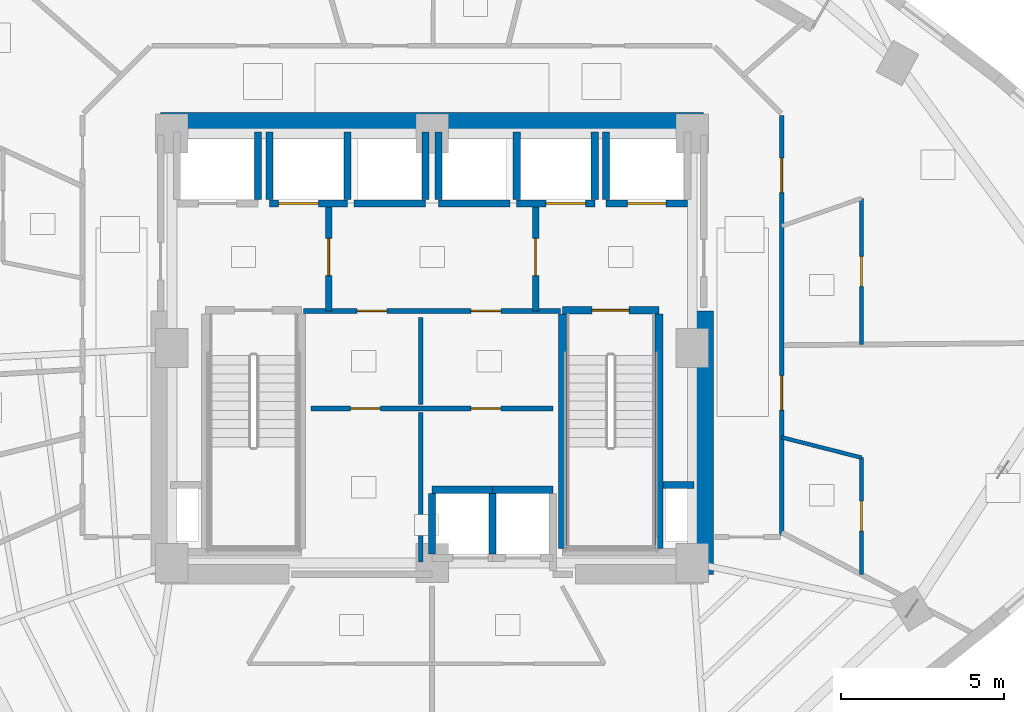
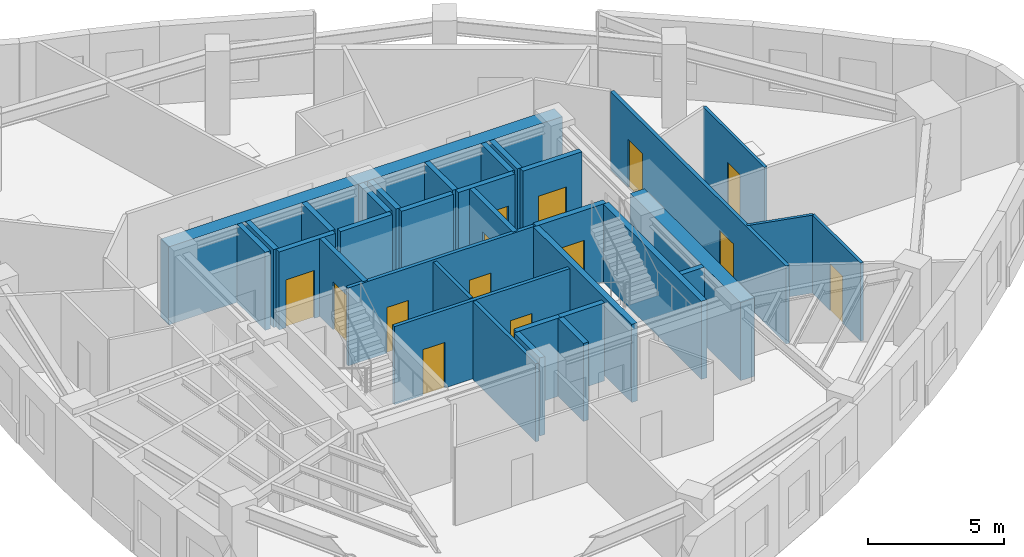
# One storey, part 9 of 14: 33 walls, 14 doors, 14 openings.
"""IFC4 building model written with IfcOpenShell, lengths in metres."""

from ifc_helpers import new_model, si_unit, direction, frame, frame_2d, origin, place, context, subcontext, project, spatial, rectangle, extrude, material, layer, layer_set, type_object, element, fill, save


model = new_model("IFC4")

# Units and contexts
model_context = context("Model", 3, precision=1e-05, world=origin(), true_north=direction((0.0, 1.0)))
body_context = subcontext(model_context, "Body", "Model", "MODEL_VIEW")
ifc_project = project(units=[si_unit("LENGTHUNIT", "METRE"), si_unit("AREAUNIT", "SQUARE_METRE"), si_unit("VOLUMEUNIT", "CUBIC_METRE"), si_unit("PLANEANGLEUNIT", "RADIAN"), si_unit("MASSUNIT", "GRAM", prefix="KILO")], contexts=[model_context])

# Site, building, storey
site_placement = place(None, origin())
site = spatial("IfcSite", under=ifc_project, at=site_placement, CompositionType="ELEMENT")
building_placement = place(site_placement, origin())
building = spatial("IfcBuilding", under=site, at=building_placement, Name="Ndelora Gate Hotel", CompositionType="ELEMENT")
storey_placement = place(building_placement, frame((0.0, 0.0, 119.75)))
storey = spatial("IfcBuildingStorey", under=building, at=storey_placement, Name="L29", CompositionType="ELEMENT", Elevation=119.75)

# Walls
ifc_material_1 = material(Name="Concrete C60/75", Category="concrete")
ifc_layer_1 = layer(ifc_material_1, 0.60009765625)
ifc_layer_set_1 = layer_set([ifc_layer_1], Name="Concrete C60/75")
wall_type_1 = type_object("IfcWallType", Name="WL-CORE-600", PredefinedType="SHEAR", material=ifc_layer_set_1)
wall_1_placement = place(storey_placement, frame((-8.35009765625, 6.949951171875, 0.0), z_axis=(0.0, 0.0, 1.0), x_axis=(1.0, 0.0, 0.0)))
element("IfcWall", 1, at=wall_1_placement, inside=storey, type_object=wall_type_1, Name="L29 Core Shear Wall N", PredefinedType="SHEAR", context=body_context, shape_type="SweptSolid", body=[
    extrude(rectangle(XDim=16.7001953125, YDim=0.60009765625, at=frame_2d((8.35009765625, 0.0))), origin(), (0.0, 0.0, 1.0), 3.5),
])
wall_2_placement = place(storey_placement, frame((8.35009765625, -6.949951171875, 0.0), z_axis=(0.0, 0.0, 1.0), x_axis=(0.0, 1.0, 0.0)))
element("IfcWall", 2, at=wall_2_placement, inside=storey, type_object=wall_type_1, Name="L29 Core Shear Wall E", PredefinedType="SHEAR", context=body_context, shape_type="SweptSolid", body=[
    extrude(rectangle(XDim=8.099853515625, YDim=0.60009765625, at=frame_2d((4.0498046875, 0.0))), origin(), (0.0, 0.0, 1.0), 3.5),
])

# Wall, opening, door
ifc_material_2 = material(Name="Concrete C40/50", Category="concrete")
ifc_layer_2 = layer(ifc_material_2, 0.199951171875)
ifc_layer_set_2 = layer_set([ifc_layer_2], Name="Concrete C40/50")
wall_type_2 = type_object("IfcWallType", Name="WL-FIRE-200", PredefinedType="PARTITIONING", material=ifc_layer_set_2)
wall_3_placement = place(storey_placement, frame((-3.179931640625, 1.14990234375, 0.0), z_axis=(0.0, 0.0, 1.0), x_axis=(0.0, 1.0, 0.0)))
wall_3 = element("IfcWall", 3, at=wall_3_placement, inside=storey, type_object=wall_type_2, Name="L29 Interior Wall IW-2", PredefinedType="PARTITIONING", context=body_context, shape_type="SweptSolid", body=[
    extrude(rectangle(XDim=3.300048828125, YDim=0.199951171875, at=frame_2d((1.64990234375, 0.0))), origin(), (0.0, 0.0, 1.0), 3.5),
])
opening_1_placement = place(wall_3_placement, frame((1.080078125, 0.0, 0.0)))
opening_1 = element("IfcOpeningElement", 4, at=opening_1_placement, cuts=wall_3, Name="Opening FD1", PredefinedType="OPENING", context=body_context, shape_type="SweptSolid", body=[
    extrude(rectangle(XDim=1.14990234375, YDim=2.14990234375, at=frame_2d((0.574951171875, 1.074951171875))), frame((0.0, 0.10986328125, 0.0), z_axis=(0.0, -1.0, 0.0), x_axis=(1.0, 0.0, 0.0)), (0.0, 0.0, 1.0), 0.219970703125),
])
ifc_material_3 = material(Name="Fire-Rated Timber-Veneer Steel Core", Category="steel")
door_type_1 = type_object("IfcDoorType", Name="DR-FD60", OperationType="SINGLE_SWING_LEFT", PredefinedType="DOOR", material=ifc_material_3)
door_1_placement = place(opening_1_placement, origin())
door_1 = element("IfcDoor", 5, at=door_1_placement, inside=storey, type_object=door_type_1, Name="L29 Firefighting Lobby West Door", OperationType="SINGLE_SWING_RIGHT", OverallHeight=2.14990234375, OverallWidth=1.14990234375, PredefinedType="DOOR", context=body_context, shape_type="SweptSolid", body=[
    extrude(rectangle(XDim=1.14990234375, YDim=2.14990234375, at=frame_2d((0.574951171875, 1.074951171875))), frame((0.0, 0.02490234375, 0.0), z_axis=(0.0, -1.0, 0.0), x_axis=(1.0, 0.0, 0.0)), (0.0, 0.0, 1.0), 0.050048828125),
])
fill(opening_1, door_1)

wall_4_placement = place(storey_placement, frame((3.179931640625, 1.14990234375, 0.0), z_axis=(0.0, 0.0, 1.0), x_axis=(0.0, 1.0, 0.0)))
wall_4 = element("IfcWall", 6, at=wall_4_placement, inside=storey, type_object=wall_type_2, Name="L29 Interior Wall IW-2", PredefinedType="PARTITIONING", context=body_context, shape_type="SweptSolid", body=[
    extrude(rectangle(XDim=3.300048828125, YDim=0.199951171875, at=frame_2d((1.64990234375, 0.0))), origin(), (0.0, 0.0, 1.0), 3.5),
])
opening_2_placement = place(wall_4_placement, frame((1.080078125, 0.0, 0.0)))
opening_2 = element("IfcOpeningElement", 7, at=opening_2_placement, cuts=wall_4, Name="Opening FD1", PredefinedType="OPENING", context=body_context, shape_type="SweptSolid", body=[
    extrude(rectangle(XDim=1.14990234375, YDim=2.14990234375, at=frame_2d((0.574951171875, 1.074951171875))), frame((0.0, 0.10986328125, 0.0), z_axis=(0.0, -1.0, 0.0), x_axis=(1.0, 0.0, 0.0)), (0.0, 0.0, 1.0), 0.219970703125),
])
door_2_placement = place(opening_2_placement, origin())
door_2 = element("IfcDoor", 8, at=door_2_placement, inside=storey, type_object=door_type_1, Name="L29 Firefighting Lobby East Door", OperationType="SINGLE_SWING_LEFT", OverallHeight=2.14990234375, OverallWidth=1.14990234375, PredefinedType="DOOR", context=body_context, shape_type="SweptSolid", body=[
    extrude(rectangle(XDim=1.14990234375, YDim=2.14990234375, at=frame_2d((0.574951171875, 1.074951171875))), frame((0.0, 0.02490234375, 0.0), z_axis=(0.0, -1.0, 0.0), x_axis=(1.0, 0.0, 0.0)), (0.0, 0.0, 1.0), 0.050048828125),
])
fill(opening_2, door_2)

# Wall, openings, doors
ifc_material_4 = material(Name="Fire-Rated Gypsum Stud Partition", Category="gypsum")
ifc_layer_3 = layer(ifc_material_4, 0.14990234375)
ifc_layer_set_3 = layer_set([ifc_layer_3], Name="Fire-Rated Gypsum Stud Partition")
wall_type_3 = type_object("IfcWallType", Name="WL-PART-150", PredefinedType="PARTITIONING", material=ifc_layer_set_3)
wall_5_placement = place(storey_placement, frame((3.949951171875, 1.14990234375, 0.0), z_axis=(0.0, 0.0, 1.0), x_axis=(-1.0, 0.0, 0.0)))
wall_5 = element("IfcWall", 9, at=wall_5_placement, inside=storey, type_object=wall_type_3, Name="L29 Interior Wall IW-5", PredefinedType="PARTITIONING", context=body_context, shape_type="SweptSolid", body=[
    extrude(rectangle(XDim=7.89990234375, YDim=0.14990234375, at=frame_2d((3.949951171875, 0.0))), origin(), (0.0, 0.0, 1.0), 3.5),
])
opening_3_placement = place(wall_5_placement, frame((5.340087890625, 0.0, 0.0)))
opening_3 = element("IfcOpeningElement", 10, at=opening_3_placement, cuts=wall_5, Name="Opening D04", PredefinedType="OPENING", context=body_context, shape_type="SweptSolid", body=[
    extrude(rectangle(XDim=0.919921875, YDim=2.050048828125, at=frame_2d((0.4599609375, 1.02490234375))), frame((0.0, 0.0849609375, 0.0), z_axis=(0.0, -1.0, 0.0), x_axis=(1.0, 0.0, 0.0)), (0.0, 0.0, 1.0), 0.169921875),
])
opening_4_placement = place(wall_5_placement, frame((1.840087890625, 0.0, 0.0)))
opening_4 = element("IfcOpeningElement", 11, at=opening_4_placement, cuts=wall_5, Name="Opening D04", PredefinedType="OPENING", context=body_context, shape_type="SweptSolid", body=[
    extrude(rectangle(XDim=0.919921875, YDim=2.050048828125, at=frame_2d((0.4599609375, 1.02490234375))), frame((0.0, 0.0849609375, 0.0), z_axis=(0.0, -1.0, 0.0), x_axis=(1.0, 0.0, 0.0)), (0.0, 0.0, 1.0), 0.169921875),
])
ifc_material_5 = material(Name="Painted Steel Core Service Door", Category="steel")
door_type_2 = type_object("IfcDoorType", Name="DR-SER-920", OperationType="SINGLE_SWING_LEFT", PredefinedType="DOOR", material=ifc_material_5)
door_3_placement = place(opening_3_placement, origin())
door_3 = element("IfcDoor", 12, at=door_3_placement, inside=storey, type_object=door_type_2, Name="L29 Core Electrical Closet Door", OperationType="SINGLE_SWING_LEFT", OverallHeight=2.050048828125, OverallWidth=0.919921875, PredefinedType="DOOR", context=body_context, shape_type="SweptSolid", body=[
    extrude(rectangle(XDim=0.919921875, YDim=2.050048828125, at=frame_2d((0.4599609375, 1.02490234375))), frame((0.0, 0.02490234375, 0.0), z_axis=(0.0, -1.0, 0.0), x_axis=(1.0, 0.0, 0.0)), (0.0, 0.0, 1.0), 0.050048828125),
])
fill(opening_3, door_3)
door_4_placement = place(opening_4_placement, origin())
door_4 = element("IfcDoor", 13, at=door_4_placement, inside=storey, type_object=door_type_2, Name="L29 Comms Patching Store Door", OperationType="SINGLE_SWING_RIGHT", OverallHeight=2.050048828125, OverallWidth=0.919921875, PredefinedType="DOOR", context=body_context, shape_type="SweptSolid", body=[
    extrude(rectangle(XDim=0.919921875, YDim=2.050048828125, at=frame_2d((0.4599609375, 1.02490234375))), frame((0.0, 0.02490234375, 0.0), z_axis=(0.0, -1.0, 0.0), x_axis=(1.0, 0.0, 0.0)), (0.0, 0.0, 1.0), 0.050048828125),
])
fill(opening_4, door_4)

wall_6_placement = place(storey_placement, frame((-3.719970703125, -1.85009765625, 0.0), z_axis=(0.0, 0.0, 1.0), x_axis=(1.0, 0.0, 0.0)))
wall_6 = element("IfcWall", 14, at=wall_6_placement, inside=storey, type_object=wall_type_3, Name="L29 Interior Wall IW-5", PredefinedType="PARTITIONING", context=body_context, shape_type="SweptSolid", body=[
    extrude(rectangle(XDim=7.43994140625, YDim=0.14990234375, at=frame_2d((3.719970703125, 0.0))), origin(), (0.0, 0.0, 1.0), 3.5),
])
opening_5_placement = place(wall_6_placement, frame((1.2099609375, 0.0, 0.0)))
opening_5 = element("IfcOpeningElement", 15, at=opening_5_placement, cuts=wall_6, Name="Opening D04", PredefinedType="OPENING", context=body_context, shape_type="SweptSolid", body=[
    extrude(rectangle(XDim=0.919921875, YDim=2.050048828125, at=frame_2d((0.4599609375, 1.02490234375))), frame((0.0, 0.0849609375, 0.0), z_axis=(0.0, -1.0, 0.0), x_axis=(1.0, 0.0, 0.0)), (0.0, 0.0, 1.0), 0.169921875),
])
opening_6_placement = place(wall_6_placement, frame((4.909912109375, 0.0, 0.0)))
opening_6 = element("IfcOpeningElement", 16, at=opening_6_placement, cuts=wall_6, Name="Opening D04", PredefinedType="OPENING", context=body_context, shape_type="SweptSolid", body=[
    extrude(rectangle(XDim=0.919921875, YDim=2.050048828125, at=frame_2d((0.4599609375, 1.02490234375))), frame((0.0, 0.0849609375, 0.0), z_axis=(0.0, -1.0, 0.0), x_axis=(1.0, 0.0, 0.0)), (0.0, 0.0, 1.0), 0.169921875),
])
door_5_placement = place(opening_5_placement, origin())
door_5 = element("IfcDoor", 17, at=door_5_placement, inside=storey, type_object=door_type_2, Name="L29 Core Service Internal Door", OperationType="SINGLE_SWING_LEFT", OverallHeight=2.050048828125, OverallWidth=0.919921875, PredefinedType="DOOR", context=body_context, shape_type="SweptSolid", body=[
    extrude(rectangle(XDim=0.919921875, YDim=2.050048828125, at=frame_2d((0.4599609375, 1.02490234375))), frame((0.0, 0.02490234375, 0.0), z_axis=(0.0, -1.0, 0.0), x_axis=(1.0, 0.0, 0.0)), (0.0, 0.0, 1.0), 0.050048828125),
])
fill(opening_5, door_5)
door_6_placement = place(opening_6_placement, origin())
door_6 = element("IfcDoor", 18, at=door_6_placement, inside=storey, type_object=door_type_2, Name="L29 Core Service Internal Door", OperationType="SINGLE_SWING_LEFT", OverallHeight=2.050048828125, OverallWidth=0.919921875, PredefinedType="DOOR", context=body_context, shape_type="SweptSolid", body=[
    extrude(rectangle(XDim=0.919921875, YDim=2.050048828125, at=frame_2d((0.4599609375, 1.02490234375))), frame((0.0, 0.02490234375, 0.0), z_axis=(0.0, -1.0, 0.0), x_axis=(1.0, 0.0, 0.0)), (0.0, 0.0, 1.0), 0.050048828125),
])
fill(opening_6, door_6)

# Walls
wall_7_placement = place(storey_placement, frame((-0.35009765625, -6.580078125, 0.0), z_axis=(0.0, 0.0, 1.0), x_axis=(0.0, 1.0, 0.0)))
element("IfcWall", 19, at=wall_7_placement, inside=storey, type_object=wall_type_3, Name="L29 Interior Wall IW-5", PredefinedType="PARTITIONING", context=body_context, shape_type="SweptSolid", body=[
    extrude(rectangle(XDim=4.610107421875, YDim=0.14990234375, at=frame_2d((2.30517578125, 0.0))), origin(), (0.0, 0.0, 1.0), 3.5),
])
wall_8_placement = place(storey_placement, frame((-0.35009765625, -1.72998046875, 0.0), z_axis=(0.0, 0.0, 1.0), x_axis=(0.0, 1.0, 0.0)))
element("IfcWall", 20, at=wall_8_placement, inside=storey, type_object=wall_type_3, Name="L29 Interior Wall IW-5", PredefinedType="PARTITIONING", context=body_context, shape_type="SweptSolid", body=[
    extrude(rectangle(XDim=2.679931640625, YDim=0.14990234375, at=frame_2d((1.33984375, 0.0))), origin(), (0.0, 0.0, 1.0), 3.5),
])

# Wall, openings, doors
wall_9_placement = place(storey_placement, frame((10.75, 7.159912109375, 0.0), z_axis=(0.0, 0.0, 1.0), x_axis=(0.0, -1.0, 0.0)))
wall_9 = element("IfcWall", 21, at=wall_9_placement, inside=storey, type_object=wall_type_3, Name="L29 Interior Wall IW-5", PredefinedType="PARTITIONING", context=body_context, shape_type="SweptSolid", body=[
    extrude(rectangle(XDim=12.919921875, YDim=0.14990234375, at=frame_2d((6.4599609375, 0.0))), origin(), (0.0, 0.0, 1.0), 3.5),
])
opening_7_placement = place(wall_9_placement, frame((8.005859375, 0.0, 0.0)))
opening_7 = element("IfcOpeningElement", 22, at=opening_7_placement, cuts=wall_9, Name="Opening D07", PredefinedType="OPENING", context=body_context, shape_type="SweptSolid", body=[
    extrude(rectangle(XDim=1.06005859375, YDim=2.14990234375, at=frame_2d((0.530029296875, 1.074951171875))), frame((0.0, 0.0849609375, 0.0), z_axis=(0.0, -1.0, 0.0), x_axis=(1.0, 0.0, 0.0)), (0.0, 0.0, 1.0), 0.169921875),
])
opening_8_placement = place(wall_9_placement, frame((1.31201171875, 0.0, 0.0)))
opening_8 = element("IfcOpeningElement", 23, at=opening_8_placement, cuts=wall_9, Name="Opening D07", PredefinedType="OPENING", context=body_context, shape_type="SweptSolid", body=[
    extrude(rectangle(XDim=1.06005859375, YDim=2.14990234375, at=frame_2d((0.530029296875, 1.074951171875))), frame((0.0, 0.0849609375, 0.0), z_axis=(0.0, -1.0, 0.0), x_axis=(1.0, 0.0, 0.0)), (0.0, 0.0, 1.0), 0.169921875),
])
ifc_material_6 = material(Name="Diplomatic Suite Acoustic Entrance Door", Category="wood")
door_type_3 = type_object("IfcDoorType", Name="DR-SUITE-1060", OperationType="SINGLE_SWING_LEFT", PredefinedType="DOOR", material=ifc_material_6)
door_7_placement = place(opening_7_placement, origin())
door_7 = element("IfcDoor", 24, at=door_7_placement, inside=storey, type_object=door_type_3, Name="L29 Club Twin Junior Suite 3203 Entrance Door", OperationType="SINGLE_SWING_RIGHT", OverallHeight=2.14990234375, OverallWidth=1.06005859375, PredefinedType="DOOR", context=body_context, shape_type="SweptSolid", body=[
    extrude(rectangle(XDim=1.06005859375, YDim=2.14990234375, at=frame_2d((0.530029296875, 1.074951171875))), frame((0.0, 0.02490234375, 0.0), z_axis=(0.0, -1.0, 0.0), x_axis=(1.0, 0.0, 0.0)), (0.0, 0.0, 1.0), 0.050048828125),
])
fill(opening_7, door_7)
door_8_placement = place(opening_8_placement, origin())
door_8 = element("IfcDoor", 25, at=door_8_placement, inside=storey, type_object=door_type_3, Name="L29 Grand Club Suite 3204 Entrance Door", OperationType="SINGLE_SWING_LEFT", OverallHeight=2.14990234375, OverallWidth=1.06005859375, PredefinedType="DOOR", context=body_context, shape_type="SweptSolid", body=[
    extrude(rectangle(XDim=1.06005859375, YDim=2.14990234375, at=frame_2d((0.530029296875, 1.074951171875))), frame((0.0, 0.02490234375, 0.0), z_axis=(0.0, -1.0, 0.0), x_axis=(1.0, 0.0, 0.0)), (0.0, 0.0, 1.0), 0.050048828125),
])
fill(opening_8, door_8)

# Walls
ifc_layer_4 = layer(ifc_material_2, 0.219970703125)
ifc_layer_set_4 = layer_set([ifc_layer_4], Name="Concrete C40/50")
wall_type_4 = type_object("IfcWallType", Name="WL-SHAFT-220", PredefinedType="PARTITIONING", material=ifc_layer_set_4)
wall_10_placement = place(storey_placement, frame((7.090087890625, -4.199951171875, 0.0), z_axis=(0.0, 0.0, 1.0), x_axis=(1.0, 0.0, 0.0)))
element("IfcWall", 26, at=wall_10_placement, inside=storey, type_object=wall_type_4, Name="L29 Interior Wall IW-1", PredefinedType="PARTITIONING", context=body_context, shape_type="SweptSolid", body=[
    extrude(rectangle(XDim=0.9599609375, YDim=0.219970703125, at=frame_2d((0.47998046875, 0.0))), origin(), (0.0, 0.0, 1.0), 3.5),
])
wall_11_placement = place(storey_placement, frame((-5.35009765625, 4.570068359375, 0.0), z_axis=(0.0, 0.0, 1.0), x_axis=(0.0, 1.0, 0.0)))
element("IfcWall", 27, at=wall_11_placement, inside=storey, type_object=wall_type_4, Name="L29 Interior Wall IW-1", PredefinedType="PARTITIONING", context=body_context, shape_type="SweptSolid", body=[
    extrude(rectangle(XDim=2.079833984375, YDim=0.219970703125, at=frame_2d((1.0400390625, 0.0))), origin(), (0.0, 0.0, 1.0), 3.5),
])

# Wall, opening, door
wall_12_placement = place(storey_placement, frame((5.35009765625, 4.449951171875, 0.0), z_axis=(0.0, 0.0, 1.0), x_axis=(1.0, 0.0, 0.0)))
wall_12 = element("IfcWall", 28, at=wall_12_placement, inside=storey, type_object=wall_type_4, Name="L29 Interior Wall IW-1", PredefinedType="PARTITIONING", context=body_context, shape_type="SweptSolid", body=[
    extrude(rectangle(XDim=2.5, YDim=0.219970703125, at=frame_2d((1.25, 0.0))), origin(), (0.0, 0.0, 1.0), 3.5),
])
opening_9_placement = place(wall_12_placement, frame((0.659912109375, 0.0, 0.0)))
opening_9 = element("IfcOpeningElement", 29, at=opening_9_placement, cuts=wall_12, Name="Opening LD5", PredefinedType="OPENING", context=body_context, shape_type="SweptSolid", body=[
    extrude(rectangle(XDim=1.179931640625, YDim=2.14990234375, at=frame_2d((0.58984375, 1.074951171875))), frame((0.0, 0.1201171875, 0.0), z_axis=(0.0, -1.0, 0.0), x_axis=(1.0, 0.0, 0.0)), (0.0, 0.0, 1.0), 0.239990234375),
])
ifc_material_7 = material(Name="Firefighting Lift Stainless Sliding Landing Door", Category="metal")
door_type_4 = type_object("IfcDoorType", Name="DR-LD5", OperationType="DOUBLE_DOOR_SLIDING", PredefinedType="DOOR", material=ifc_material_7)
door_9_placement = place(opening_9_placement, origin())
door_9 = element("IfcDoor", 30, at=door_9_placement, inside=storey, type_object=door_type_4, Name="L29 Lift Landing Sliding Door FFL2", OperationType="DOUBLE_DOOR_SLIDING", OverallHeight=2.14990234375, OverallWidth=1.179931640625, PredefinedType="DOOR", context=body_context, shape_type="SweptSolid", body=[
    extrude(rectangle(XDim=1.179931640625, YDim=2.14990234375, at=frame_2d((0.58984375, 1.074951171875))), frame((0.0, 0.02490234375, 0.0), z_axis=(0.0, -1.0, 0.0), x_axis=(1.0, 0.0, 0.0)), (0.0, 0.0, 1.0), 0.050048828125),
])
fill(opening_9, door_9)

# Wall
wall_13_placement = place(storey_placement, frame((5.35009765625, 4.570068359375, 0.0), z_axis=(0.0, 0.0, 1.0), x_axis=(0.0, 1.0, 0.0)))
element("IfcWall", 31, at=wall_13_placement, inside=storey, type_object=wall_type_4, Name="L29 Interior Wall IW-1", PredefinedType="PARTITIONING", context=body_context, shape_type="SweptSolid", body=[
    extrude(rectangle(XDim=2.079833984375, YDim=0.219970703125, at=frame_2d((1.0400390625, 0.0))), origin(), (0.0, 0.0, 1.0), 3.5),
])

# Wall, opening, door
wall_14_placement = place(storey_placement, frame((-5.0, 4.449951171875, 0.0), z_axis=(0.0, 0.0, 1.0), x_axis=(1.0, 0.0, 0.0)))
wall_14 = element("IfcWall", 32, at=wall_14_placement, inside=storey, type_object=wall_type_4, Name="L29 Interior Wall IW-1", PredefinedType="PARTITIONING", context=body_context, shape_type="SweptSolid", body=[
    extrude(rectangle(XDim=2.39990234375, YDim=0.219970703125, at=frame_2d((1.199951171875, 0.0))), origin(), (0.0, 0.0, 1.0), 3.5),
])
opening_10_placement = place(wall_14_placement, frame((0.280029296875, 0.0, 0.0)))
opening_10 = element("IfcOpeningElement", 33, at=opening_10_placement, cuts=wall_14, Name="Opening LD6", PredefinedType="OPENING", context=body_context, shape_type="SweptSolid", body=[
    extrude(rectangle(XDim=1.219970703125, YDim=2.14990234375, at=frame_2d((0.60986328125, 1.074951171875))), frame((0.0, 0.1201171875, 0.0), z_axis=(0.0, -1.0, 0.0), x_axis=(1.0, 0.0, 0.0)), (0.0, 0.0, 1.0), 0.239990234375),
])
ifc_material_8 = material(Name="Heavy-Duty Service Lift Sliding Landing Door", Category="wood")
door_type_5 = type_object("IfcDoorType", Name="DR-LD6", OperationType="DOUBLE_DOOR_SLIDING", PredefinedType="DOOR", material=ifc_material_8)
door_10_placement = place(opening_10_placement, origin())
door_10 = element("IfcDoor", 34, at=door_10_placement, inside=storey, type_object=door_type_5, Name="L29 Lift Landing Sliding Door SVL1", OperationType="DOUBLE_DOOR_SLIDING", OverallHeight=2.14990234375, OverallWidth=1.219970703125, PredefinedType="DOOR", context=body_context, shape_type="SweptSolid", body=[
    extrude(rectangle(XDim=1.219970703125, YDim=2.14990234375, at=frame_2d((0.60986328125, 1.074951171875))), frame((0.0, 0.02490234375, 0.0), z_axis=(0.0, -1.0, 0.0), x_axis=(1.0, 0.0, 0.0)), (0.0, 0.0, 1.0), 0.050048828125),
])
fill(opening_10, door_10)

# Walls
for number, where, z_axis, x_axis, name in (
    (35, (-5.0, 4.570068359375, 0.0), (0.0, 0.0, 1.0), (0.0, 1.0, 0.0), "L29 Interior Wall IW-1"),
    (36, (-2.60009765625, 4.570068359375, 0.0), (0.0, 0.0, 1.0), (0.0, 1.0, 0.0), "L29 Interior Wall IW-1"),
):
    element("IfcWall", number, at=place(storey_placement, frame(where, z_axis=z_axis, x_axis=x_axis)), inside=storey, type_object=wall_type_4, Name=name, PredefinedType="PARTITIONING", context=body_context, shape_type="SweptSolid", body=[
        extrude(rectangle(XDim=2.079833984375, YDim=0.219970703125, at=frame_2d((1.0400390625, 0.0))), origin(), (0.0, 0.0, 1.0), 3.5),
    ])

# Wall, opening, door
wall_15_placement = place(storey_placement, frame((2.60009765625, 4.449951171875, 0.0), z_axis=(0.0, 0.0, 1.0), x_axis=(1.0, 0.0, 0.0)))
wall_15 = element("IfcWall", 37, at=wall_15_placement, inside=storey, type_object=wall_type_4, Name="L29 Interior Wall IW-1", PredefinedType="PARTITIONING", context=body_context, shape_type="SweptSolid", body=[
    extrude(rectangle(XDim=2.39990234375, YDim=0.219970703125, at=frame_2d((1.199951171875, 0.0))), origin(), (0.0, 0.0, 1.0), 3.5),
])
opening_11_placement = place(wall_15_placement, frame((0.89990234375, 0.0, 0.0)))
opening_11 = element("IfcOpeningElement", 38, at=opening_11_placement, cuts=wall_15, Name="Opening LD6", PredefinedType="OPENING", context=body_context, shape_type="SweptSolid", body=[
    extrude(rectangle(XDim=1.219970703125, YDim=2.14990234375, at=frame_2d((0.60986328125, 1.074951171875))), frame((0.0, 0.1201171875, 0.0), z_axis=(0.0, -1.0, 0.0), x_axis=(1.0, 0.0, 0.0)), (0.0, 0.0, 1.0), 0.239990234375),
])
door_11_placement = place(opening_11_placement, origin())
door_11 = element("IfcDoor", 39, at=door_11_placement, inside=storey, type_object=door_type_5, Name="L29 Lift Landing Sliding Door SVL2", OperationType="DOUBLE_DOOR_SLIDING", OverallHeight=2.14990234375, OverallWidth=1.219970703125, PredefinedType="DOOR", context=body_context, shape_type="SweptSolid", body=[
    extrude(rectangle(XDim=1.219970703125, YDim=2.14990234375, at=frame_2d((0.60986328125, 1.074951171875))), frame((0.0, 0.02490234375, 0.0), z_axis=(0.0, -1.0, 0.0), x_axis=(1.0, 0.0, 0.0)), (0.0, 0.0, 1.0), 0.050048828125),
])
fill(opening_11, door_11)

# Walls
for number, where, z_axis, x_axis, name in (
    (40, (2.60009765625, 4.570068359375, 0.0), (0.0, 0.0, 1.0), (0.0, 1.0, 0.0), "L29 Interior Wall IW-1"),
    (41, (5.0, 4.570068359375, 0.0), (0.0, 0.0, 1.0), (0.0, 1.0, 0.0), "L29 Interior Wall IW-1"),
):
    element("IfcWall", number, at=place(storey_placement, frame(where, z_axis=z_axis, x_axis=x_axis)), inside=storey, type_object=wall_type_4, Name=name, PredefinedType="PARTITIONING", context=body_context, shape_type="SweptSolid", body=[
        extrude(rectangle(XDim=2.079833984375, YDim=0.219970703125, at=frame_2d((1.0400390625, 0.0))), origin(), (0.0, 0.0, 1.0), 3.5),
    ])
for number, where, z_axis, x_axis, name in (
    (42, (0.0, -4.35009765625, 0.0), (0.0, 0.0, 1.0), (1.0, 0.0, 0.0), "L29 Interior Wall IW-1"),
    (43, (0.0, -6.330078125, 0.0), (0.0, 0.0, 1.0), (0.0, 1.0, 0.0), "L29 Interior Wall IW-1"),
    (44, (1.860107421875, -6.330078125, 0.0), (0.0, 0.0, 1.0), (0.0, 1.0, 0.0), "L29 Interior Wall IW-1"),
):
    element("IfcWall", number, at=place(storey_placement, frame(where, z_axis=z_axis, x_axis=x_axis)), inside=storey, type_object=wall_type_4, Name=name, PredefinedType="PARTITIONING", context=body_context, shape_type="SweptSolid", body=[
        extrude(rectangle(XDim=1.860107421875, YDim=0.219970703125, at=frame_2d((0.93017578125, 0.0))), origin(), (0.0, 0.0, 1.0), 3.5),
    ])
wall_16_placement = place(storey_placement, frame((1.860107421875, -4.35009765625, 0.0), z_axis=(0.0, 0.0, 1.0), x_axis=(1.0, 0.0, 0.0)))
element("IfcWall", 45, at=wall_16_placement, inside=storey, type_object=wall_type_4, Name="L29 Interior Wall IW-1", PredefinedType="PARTITIONING", context=body_context, shape_type="SweptSolid", body=[
    extrude(rectangle(XDim=1.85986328125, YDim=0.219970703125, at=frame_2d((0.929931640625, 0.0))), origin(), (0.0, 0.0, 1.0), 3.5),
])
wall_17_placement = place(storey_placement, frame((-2.39990234375, 4.449951171875, 0.0), z_axis=(0.0, 0.0, 1.0), x_axis=(1.0, 0.0, 0.0)))
element("IfcWall", 46, at=wall_17_placement, inside=storey, type_object=wall_type_4, Name="L29 Interior Wall IW-1", PredefinedType="PARTITIONING", context=body_context, shape_type="SweptSolid", body=[
    extrude(rectangle(XDim=2.199951171875, YDim=0.219970703125, at=frame_2d((1.10009765625, 0.0))), origin(), (0.0, 0.0, 1.0), 3.5),
])
wall_18_placement = place(storey_placement, frame((-0.199951171875, 4.570068359375, 0.0), z_axis=(0.0, 0.0, 1.0), x_axis=(0.0, 1.0, 0.0)))
element("IfcWall", 47, at=wall_18_placement, inside=storey, type_object=wall_type_4, Name="L29 Interior Wall IW-1", PredefinedType="PARTITIONING", context=body_context, shape_type="SweptSolid", body=[
    extrude(rectangle(XDim=2.079833984375, YDim=0.219970703125, at=frame_2d((1.0400390625, 0.0))), origin(), (0.0, 0.0, 1.0), 3.5),
])
wall_19_placement = place(storey_placement, frame((0.199951171875, 4.449951171875, 0.0), z_axis=(0.0, 0.0, 1.0), x_axis=(1.0, 0.0, 0.0)))
element("IfcWall", 48, at=wall_19_placement, inside=storey, type_object=wall_type_4, Name="L29 Interior Wall IW-1", PredefinedType="PARTITIONING", context=body_context, shape_type="SweptSolid", body=[
    extrude(rectangle(XDim=2.199951171875, YDim=0.219970703125, at=frame_2d((1.10009765625, 0.0))), origin(), (0.0, 0.0, 1.0), 3.5),
])
wall_20_placement = place(storey_placement, frame((0.199951171875, 4.570068359375, 0.0), z_axis=(0.0, 0.0, 1.0), x_axis=(0.0, 1.0, 0.0)))
element("IfcWall", 49, at=wall_20_placement, inside=storey, type_object=wall_type_4, Name="L29 Interior Wall IW-1", PredefinedType="PARTITIONING", context=body_context, shape_type="SweptSolid", body=[
    extrude(rectangle(XDim=2.079833984375, YDim=0.219970703125, at=frame_2d((1.0400390625, 0.0))), origin(), (0.0, 0.0, 1.0), 3.5),
])
ifc_material_9 = material(Name="Concrete C50/60", Category="concrete")
ifc_layer_5 = layer(ifc_material_9, 0.239990234375)
ifc_layer_set_5 = layer_set([ifc_layer_5], Name="Concrete C50/60")
wall_type_5 = type_object("IfcWallType", Name="WL-STAIR-240", PredefinedType="SHEAR", material=ifc_layer_set_5)
for number, where, z_axis, x_axis, name in (
    (50, (4.010009765625, -6.159912109375, 0.0), (0.0, 0.0, 1.0), (0.0, 1.0, 0.0), "L29 Stair Core Shear Wall SW-ST"),
    (51, (6.969970703125, -6.159912109375, 0.0), (0.0, 0.0, 1.0), (0.0, 1.0, 0.0), "L29 Stair Core Shear Wall SW-ST"),
):
    element("IfcWall", number, at=place(storey_placement, frame(where, z_axis=z_axis, x_axis=x_axis)), inside=storey, type_object=wall_type_5, Name=name, PredefinedType="SHEAR", context=body_context, shape_type="SweptSolid", body=[
        extrude(rectangle(XDim=7.219970703125, YDim=0.239990234375, at=frame_2d((3.60986328125, 0.0))), origin(), (0.0, 0.0, 1.0), 3.5),
    ])

# Wall, opening, door
wall_21_placement = place(storey_placement, frame((4.010009765625, 1.169921875, 0.0), z_axis=(0.0, 0.0, 1.0), x_axis=(1.0, 0.0, 0.0)))
wall_21 = element("IfcWall", 52, at=wall_21_placement, inside=storey, type_object=wall_type_5, Name="L29 Stair Core Shear Wall SW-ST", PredefinedType="SHEAR", context=body_context, shape_type="SweptSolid", body=[
    extrude(rectangle(XDim=2.9599609375, YDim=0.239990234375, at=frame_2d((1.47998046875, 0.0))), origin(), (0.0, 0.0, 1.0), 3.5),
])
opening_12_placement = place(wall_21_placement, frame((0.89990234375, 0.0, 0.0)))
opening_12 = element("IfcOpeningElement", 53, at=opening_12_placement, cuts=wall_21, Name="Opening FD1", PredefinedType="OPENING", context=body_context, shape_type="SweptSolid", body=[
    extrude(rectangle(XDim=1.14990234375, YDim=2.14990234375, at=frame_2d((0.574951171875, 1.074951171875))), frame((0.0, 0.1298828125, 0.0), z_axis=(0.0, -1.0, 0.0), x_axis=(1.0, 0.0, 0.0)), (0.0, 0.0, 1.0), 0.260009765625),
])
door_12_placement = place(opening_12_placement, origin())
door_12 = element("IfcDoor", 54, at=door_12_placement, inside=storey, type_object=door_type_1, Name="L29 Exit Stair ST5 Door", OperationType="SINGLE_SWING_RIGHT", OverallHeight=2.14990234375, OverallWidth=1.14990234375, PredefinedType="DOOR", context=body_context, shape_type="SweptSolid", body=[
    extrude(rectangle(XDim=1.14990234375, YDim=2.14990234375, at=frame_2d((0.574951171875, 1.074951171875))), frame((0.0, 0.02490234375, 0.0), z_axis=(0.0, -1.0, 0.0), x_axis=(1.0, 0.0, 0.0)), (0.0, 0.0, 1.0), 0.050048828125),
])
fill(opening_12, door_12)

# Wall
ifc_material_10 = material(Name="Moisture-Resistant Bathroom Tile Partition", Category="gypsum")
ifc_layer_6 = layer(ifc_material_10, 0.1201171875)
ifc_layer_set_6 = layer_set([ifc_layer_6], Name="Moisture-Resistant Bathroom Tile Partition")
wall_type_6 = type_object("IfcWallType", Name="WL-WET-120", PredefinedType="PARTITIONING", material=ifc_layer_set_6)
wall_22_placement = place(storey_placement, frame((10.75, -2.739990234375, 0.0), z_axis=(0.0, 0.0, 1.0), x_axis=(0.969013175756, -0.247009038723, 0.0)))
element("IfcWall", 55, at=wall_22_placement, inside=storey, type_object=wall_type_6, Name="L29 Interior Wall IW-7", PredefinedType="PARTITIONING", context=body_context, shape_type="SweptSolid", body=[
    extrude(rectangle(XDim=2.5283203125, YDim=0.1201171875, at=frame_2d((1.26416015625, 0.0))), origin(), (0.0, 0.0, 1.0), 3.5),
])

# Wall, opening, door
wall_23_placement = place(storey_placement, frame((13.199951171875, -3.364501953125, 0.0), z_axis=(0.0, 0.0, 1.0), x_axis=(0.0, -1.0, 0.0)))
wall_23 = element("IfcWall", 56, at=wall_23_placement, inside=storey, type_object=wall_type_6, Name="L29 Interior Wall IW-7", PredefinedType="PARTITIONING", context=body_context, shape_type="SweptSolid", body=[
    extrude(rectangle(XDim=3.59521484375, YDim=0.1201171875, at=frame_2d((1.797607421875, 0.0))), origin(), (0.0, 0.0, 1.0), 3.5),
])
opening_13_placement = place(wall_23_placement, frame((1.33740234375, 0.0, 0.0)))
opening_13 = element("IfcOpeningElement", 57, at=opening_13_placement, cuts=wall_23, Name="Opening D03", PredefinedType="OPENING", context=body_context, shape_type="SweptSolid", body=[
    extrude(rectangle(XDim=0.919921875, YDim=2.10009765625, at=frame_2d((0.4599609375, 1.050048828125))), frame((0.0, 0.070068359375, 0.0), z_axis=(0.0, -1.0, 0.0), x_axis=(1.0, 0.0, 0.0)), (0.0, 0.0, 1.0), 0.14013671875),
])
ifc_material_11 = material(Name="Moisture-Resistant Hardwood En-Suite Door", Category="wood")
door_type_6 = type_object("IfcDoorType", Name="DR-BATH-920", OperationType="SINGLE_SWING_LEFT", PredefinedType="DOOR", material=ifc_material_11)
door_13_placement = place(opening_13_placement, origin())
door_13 = element("IfcDoor", 58, at=door_13_placement, inside=storey, type_object=door_type_6, Name="L29 En-suite Bathroom 3203 Door", OperationType="SINGLE_SWING_RIGHT", OverallHeight=2.10009765625, OverallWidth=0.919921875, PredefinedType="DOOR", context=body_context, shape_type="SweptSolid", body=[
    extrude(rectangle(XDim=0.919921875, YDim=2.10009765625, at=frame_2d((0.4599609375, 1.050048828125))), frame((0.0, 0.02490234375, 0.0), z_axis=(0.0, -1.0, 0.0), x_axis=(1.0, 0.0, 0.0)), (0.0, 0.0, 1.0), 0.050048828125),
])
fill(opening_13, door_13)

wall_24_placement = place(storey_placement, frame((13.199951171875, 4.610107421875, 0.0), z_axis=(0.0, 0.0, 1.0), x_axis=(0.0, -1.0, 0.0)))
wall_24 = element("IfcWall", 59, at=wall_24_placement, inside=storey, type_object=wall_type_6, Name="L29 Interior Wall IW-7", PredefinedType="PARTITIONING", context=body_context, shape_type="SweptSolid", body=[
    extrude(rectangle(XDim=4.49658203125, YDim=0.1201171875, at=frame_2d((2.248291015625, 0.0))), origin(), (0.0, 0.0, 1.0), 3.5),
])
opening_14_placement = place(wall_24_placement, frame((1.788330078125, 0.0, 0.0)))
opening_14 = element("IfcOpeningElement", 60, at=opening_14_placement, cuts=wall_24, Name="Opening D03", PredefinedType="OPENING", context=body_context, shape_type="SweptSolid", body=[
    extrude(rectangle(XDim=0.919921875, YDim=2.10009765625, at=frame_2d((0.4599609375, 1.050048828125))), frame((0.0, 0.070068359375, 0.0), z_axis=(0.0, -1.0, 0.0), x_axis=(1.0, 0.0, 0.0)), (0.0, 0.0, 1.0), 0.14013671875),
])
door_14_placement = place(opening_14_placement, origin())
door_14 = element("IfcDoor", 61, at=door_14_placement, inside=storey, type_object=door_type_6, Name="L29 En-suite Bathroom 3204 Door", OperationType="SINGLE_SWING_LEFT", OverallHeight=2.10009765625, OverallWidth=0.919921875, PredefinedType="DOOR", context=body_context, shape_type="SweptSolid", body=[
    extrude(rectangle(XDim=0.919921875, YDim=2.10009765625, at=frame_2d((0.4599609375, 1.050048828125))), frame((0.0, 0.02490234375, 0.0), z_axis=(0.0, -1.0, 0.0), x_axis=(1.0, 0.0, 0.0)), (0.0, 0.0, 1.0), 0.050048828125),
])
fill(opening_14, door_14)

save(model, "model.ifc")
